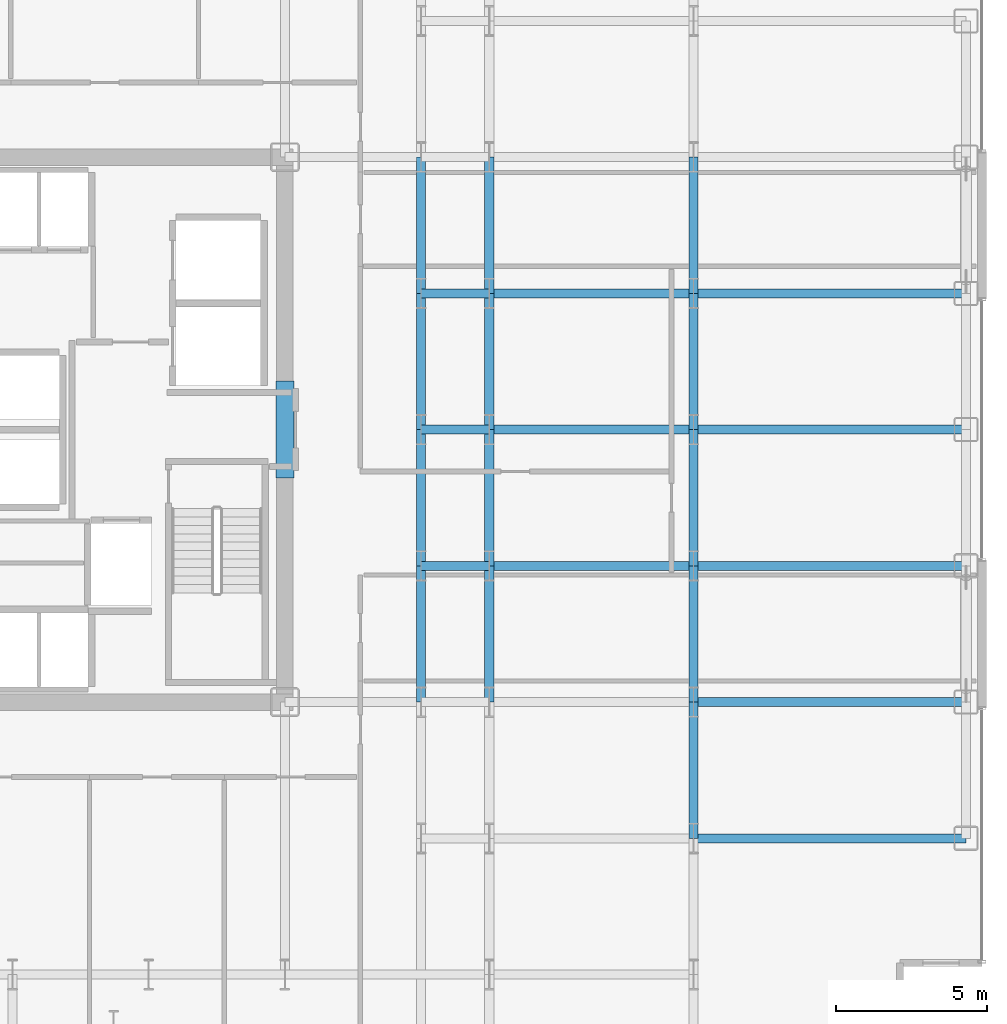
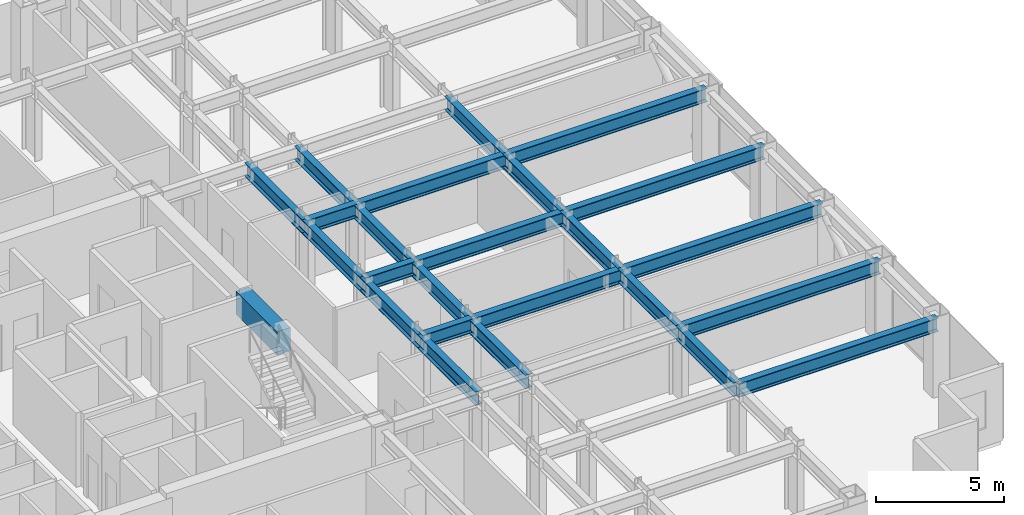
# One storey, part 10 of 29: 25 beams.
"""IFC4 building model written with IfcOpenShell, lengths in metres."""

from ifc_helpers import new_model, si_unit, direction, frame, origin, origin_2d, place, context, subcontext, project, spatial, rectangle, i_section, extrude, source, transform, mapped, material, material_profile, profile_set, type_object, element, save


model = new_model("IFC4")

# Units and contexts
model_context = context("Model", 3, precision=1e-05, world=origin(), true_north=direction((0.0, 1.0)))
body_context = subcontext(model_context, "Body", "Model", "MODEL_VIEW")
ifc_project = project(units=[si_unit("LENGTHUNIT", "METRE"), si_unit("AREAUNIT", "SQUARE_METRE"), si_unit("VOLUMEUNIT", "CUBIC_METRE"), si_unit("PLANEANGLEUNIT", "RADIAN"), si_unit("MASSUNIT", "GRAM", prefix="KILO")], contexts=[model_context])

# Site, building, storey
site_placement = place(None, origin())
site = spatial("IfcSite", under=ifc_project, at=site_placement, CompositionType="ELEMENT")
building_placement = place(site_placement, origin())
building = spatial("IfcBuilding", under=site, at=building_placement, Name="Nefas-Gora Pilgrimage Tower", CompositionType="ELEMENT")
storey_placement = place(building_placement, frame((0.0, 0.0, 125.0)))
storey = spatial("IfcBuildingStorey", under=building, at=storey_placement, Name="L30", CompositionType="ELEMENT", Elevation=125.0)

# Beams
ifc_material_1 = material(Name="Concrete C60/75", Category="concrete")
ifc_material_profile_1 = material_profile(ifc_material_1, rectangle(XDim=0.60009765625, YDim=1.10009765625, at=origin_2d()), Name="RC 600x1100")
ifc_profile_set_1 = profile_set([ifc_material_profile_1], Name="Concrete C60/75")
beam_type_1 = type_object("IfcBeamType", Name="BM-LIN-RC1100", PredefinedType="LINTEL", material=ifc_profile_set_1)
shared_shape_1 = source(origin(), body_context, "Body", "SweptSolid", [
    extrude(rectangle(XDim=0.60009765625, YDim=1.10009765625, at=origin_2d()), origin(), (0.0, 0.0, 1.0), 3.2001953125),
])
beam_placement = place(storey_placement, frame((11.25, -1.60009765625, 3.0), z_axis=(0.0, 1.0, 0.0), x_axis=(-1.0, 0.0, 0.0)))
element("IfcBeam", 1, at=beam_placement, inside=storey, type_object=beam_type_1, Name="L30 Core Coupling Lintel Beam E", PredefinedType="LINTEL", context=body_context, shape_type="MappedRepresentation", body=[
    mapped(shared_shape_1, transform((0.0, 0.0, 0.0), x_axis=(1.0, 0.0, 0.0), y_axis=(0.0, 1.0, 0.0), z_axis=(0.0, 0.0, 1.0), scale=1.0)),
])
ifc_material_2 = material(Name="Steel S355", Category="steel")
ifc_material_profile_2 = material_profile(ifc_material_2, i_section(OverallWidth=0.300048828125, OverallDepth=0.64990234375, WebThickness=0.01611328125, FlangeThickness=0.031005859375, FilletRadius=0.027099609375, at=origin_2d()), Name="HEB 650")
ifc_profile_set_2 = profile_set([ifc_material_profile_2], Name="Steel S355")
beam_type_2 = type_object("IfcBeamType", Name="BM-GIR-HEB650", PredefinedType="BEAM", material=ifc_profile_set_2)
shared_shape_2 = source(origin(), body_context, "Body", "SweptSolid", [
    extrude(i_section(OverallWidth=0.300048828125, OverallDepth=0.64990234375, WebThickness=0.01611328125, FlangeThickness=0.031005859375, FilletRadius=0.027099609375, at=origin_2d()), origin(), (0.0, 0.0, 1.0), 9.0),
])
for number, where, z_axis, x_axis, name in (
    (2, (24.75, -13.5, 3.22509765625), (1.0, 0.0, 0.0), (0.0, 1.0, 0.0), "L30 G-03 beam"),
    (3, (24.75, -9.0, 3.22509765625), (1.0, 0.0, 0.0), (0.0, 1.0, 0.0), "L30 G-03 beam"),
    (4, (24.75, -4.5, 3.22509765625), (1.0, 0.0, 0.0), (0.0, 1.0, 0.0), "L30 G-03 beam"),
    (5, (24.75, 0.0, 3.22509765625), (1.0, 0.0, 0.0), (0.0, 1.0, 0.0), "L30 G-03 beam"),
    (6, (24.75, 4.5, 3.22509765625), (1.0, 0.0, 0.0), (0.0, 1.0, 0.0), "L30 G-03 beam"),
):
    element("IfcBeam", number, at=place(storey_placement, frame(where, z_axis=z_axis, x_axis=x_axis)), inside=storey, type_object=beam_type_2, Name=name, PredefinedType="BEAM", context=body_context, shape_type="MappedRepresentation", body=[
        mapped(shared_shape_2, transform((0.0, 0.0, 0.0), x_axis=(1.0, 0.0, 0.0), y_axis=(0.0, 1.0, 0.0), z_axis=(0.0, 0.0, 1.0), scale=1.0)),
    ])
shared_shape_3 = source(origin(), body_context, "Body", "SweptSolid", [
    extrude(i_section(OverallWidth=0.300048828125, OverallDepth=0.64990234375, WebThickness=0.01611328125, FlangeThickness=0.031005859375, FilletRadius=0.027099609375, at=origin_2d()), origin(), (0.0, 0.0, 1.0), 4.5),
])
for number, where, z_axis, x_axis, name in (
    (7, (15.75, -9.0, 3.22509765625), (0.0, 1.0, 0.0), (-1.0, 0.0, 0.0), "L30 G-03 beam"),
    (8, (15.75, -4.5, 3.22509765625), (0.0, 1.0, 0.0), (-1.0, 0.0, 0.0), "L30 G-03 beam"),
    (9, (15.75, 0.0, 3.22509765625), (0.0, 1.0, 0.0), (-1.0, 0.0, 0.0), "L30 G-03 beam"),
    (10, (15.75, 4.5, 3.22509765625), (0.0, 1.0, 0.0), (-1.0, 0.0, 0.0), "L30 G-03 beam"),
    (11, (18.0, -9.0, 3.22509765625), (0.0, 1.0, 0.0), (-1.0, 0.0, 0.0), "L30 G-03 beam"),
    (12, (18.0, -4.5, 3.22509765625), (0.0, 1.0, 0.0), (-1.0, 0.0, 0.0), "L30 G-03 beam"),
    (13, (18.0, 0.0, 3.22509765625), (0.0, 1.0, 0.0), (-1.0, 0.0, 0.0), "L30 G-03 beam"),
    (14, (18.0, 4.5, 3.22509765625), (0.0, 1.0, 0.0), (-1.0, 0.0, 0.0), "L30 G-03 beam"),
    (15, (24.75, -13.5, 3.22509765625), (0.0, 1.0, 0.0), (-1.0, 0.0, 0.0), "L30 G-03 beam"),
    (16, (24.75, -9.0, 3.22509765625), (0.0, 1.0, 0.0), (-1.0, 0.0, 0.0), "L30 G-03 beam"),
    (17, (24.75, -4.5, 3.22509765625), (0.0, 1.0, 0.0), (-1.0, 0.0, 0.0), "L30 G-03 beam"),
    (18, (24.75, 0.0, 3.22509765625), (0.0, 1.0, 0.0), (-1.0, 0.0, 0.0), "L30 G-03 beam"),
    (19, (24.75, 4.5, 3.22509765625), (0.0, 1.0, 0.0), (-1.0, 0.0, 0.0), "L30 G-03 beam"),
):
    element("IfcBeam", number, at=place(storey_placement, frame(where, z_axis=z_axis, x_axis=x_axis)), inside=storey, type_object=beam_type_2, Name=name, PredefinedType="BEAM", context=body_context, shape_type="MappedRepresentation", body=[
        mapped(shared_shape_3, transform((0.0, 0.0, 0.0), x_axis=(1.0, 0.0, 0.0), y_axis=(0.0, 1.0, 0.0), z_axis=(0.0, 0.0, 1.0), scale=1.0)),
    ])
shared_shape_4 = source(origin(), body_context, "Body", "SweptSolid", [
    extrude(i_section(OverallWidth=0.300048828125, OverallDepth=0.64990234375, WebThickness=0.01611328125, FlangeThickness=0.031005859375, FilletRadius=0.027099609375, at=origin_2d()), origin(), (0.0, 0.0, 1.0), 6.75),
])
for number, where, z_axis, x_axis, name in (
    (20, (18.0, -4.5, 3.22509765625), (1.0, 0.0, 0.0), (0.0, 1.0, 0.0), "L30 G-03 beam"),
    (21, (18.0, 0.0, 3.22509765625), (1.0, 0.0, 0.0), (0.0, 1.0, 0.0), "L30 G-03 beam"),
    (22, (18.0, 4.5, 3.22509765625), (1.0, 0.0, 0.0), (0.0, 1.0, 0.0), "L30 G-03 beam"),
):
    element("IfcBeam", number, at=place(storey_placement, frame(where, z_axis=z_axis, x_axis=x_axis)), inside=storey, type_object=beam_type_2, Name=name, PredefinedType="BEAM", context=body_context, shape_type="MappedRepresentation", body=[
        mapped(shared_shape_4, transform((0.0, 0.0, 0.0), x_axis=(1.0, 0.0, 0.0), y_axis=(0.0, 1.0, 0.0), z_axis=(0.0, 0.0, 1.0), scale=1.0)),
    ])
shared_shape_5 = source(origin(), body_context, "Body", "SweptSolid", [
    extrude(i_section(OverallWidth=0.300048828125, OverallDepth=0.64990234375, WebThickness=0.01611328125, FlangeThickness=0.031005859375, FilletRadius=0.027099609375, at=origin_2d()), origin(), (0.0, 0.0, 1.0), 2.25),
])
for number, where, z_axis, x_axis, name in (
    (23, (15.75, -4.5, 3.22509765625), (1.0, 0.0, 0.0), (0.0, 1.0, 0.0), "L30 G-03 beam"),
    (24, (15.75, 0.0, 3.22509765625), (1.0, 0.0, 0.0), (0.0, 1.0, 0.0), "L30 G-03 beam"),
    (25, (15.75, 4.5, 3.22509765625), (1.0, 0.0, 0.0), (0.0, 1.0, 0.0), "L30 G-03 beam"),
):
    element("IfcBeam", number, at=place(storey_placement, frame(where, z_axis=z_axis, x_axis=x_axis)), inside=storey, type_object=beam_type_2, Name=name, PredefinedType="BEAM", context=body_context, shape_type="MappedRepresentation", body=[
        mapped(shared_shape_5, transform((0.0, 0.0, 0.0), x_axis=(1.0, 0.0, 0.0), y_axis=(0.0, 1.0, 0.0), z_axis=(0.0, 0.0, 1.0), scale=1.0)),
    ])

save(model, "model.ifc")
